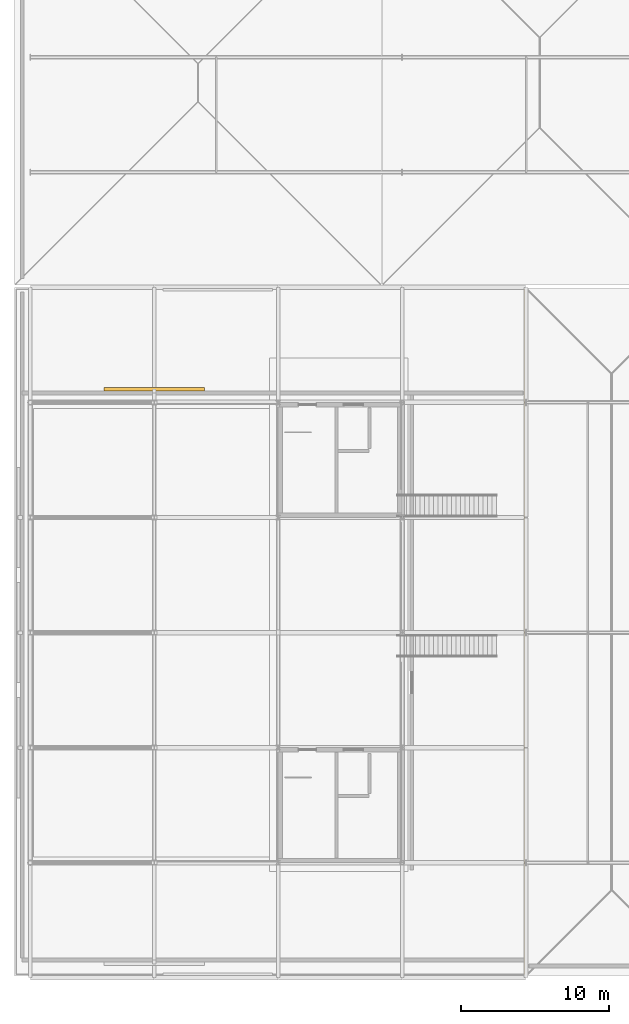
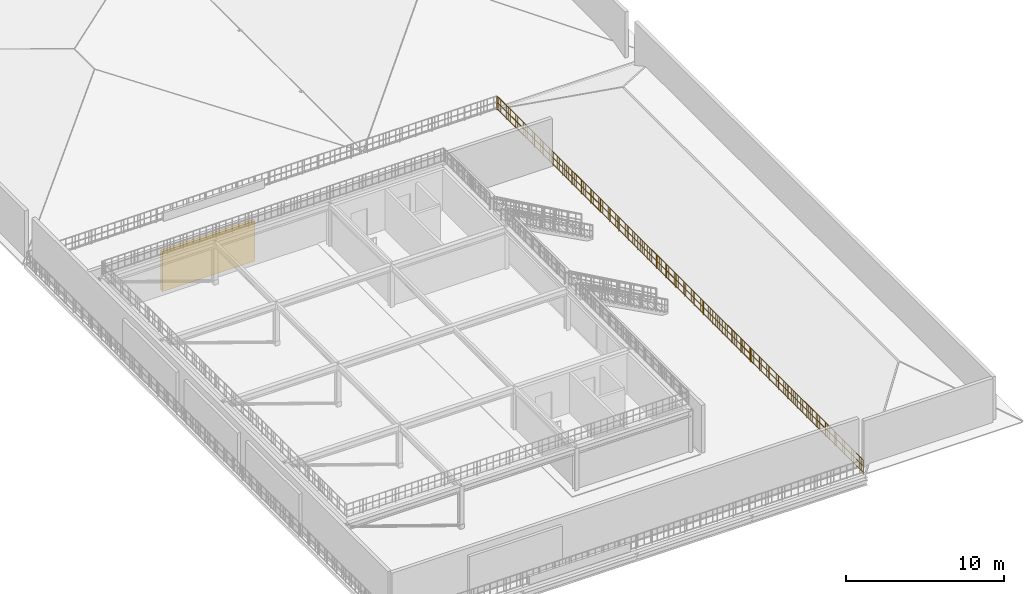
# One storey, part 14 of 16: 1 railing, 1 shading device.
"""IFC4 building model written with IfcOpenShell, lengths in metres."""

from ifc_helpers import new_model, si_unit, direction, frame, origin, origin_2d, place, context, subcontext, project, spatial, rectangle, circle, extrude, material, layer, layer_set, type_object, element, save


model = new_model("IFC4")

# Units and contexts
model_context = context("Model", 3, precision=1e-05, world=origin(), true_north=direction((0.0, 1.0)))
body_context = subcontext(model_context, "Body", "Model", "MODEL_VIEW")
ifc_project = project(units=[si_unit("LENGTHUNIT", "METRE"), si_unit("AREAUNIT", "SQUARE_METRE"), si_unit("VOLUMEUNIT", "CUBIC_METRE"), si_unit("PLANEANGLEUNIT", "RADIAN"), si_unit("MASSUNIT", "GRAM", prefix="KILO")], contexts=[model_context])

# Site, building, storey
site_placement = place(None, origin())
site = spatial("IfcSite", under=ifc_project, at=site_placement, CompositionType="ELEMENT")
building_placement = place(site_placement, origin())
building = spatial("IfcBuilding", under=site, at=building_placement, Name="Nabrawat Pavilion Hospital", CompositionType="ELEMENT")
storey_placement = place(building_placement, frame((0.0, 0.0, 35.10009765625)))
storey = spatial("IfcBuildingStorey", under=building, at=storey_placement, Name="Roof", CompositionType="ELEMENT", Elevation=35.10009765625)

# Railing
ifc_material_1 = material(Name="Stainless Steel 316", Category="steel")
ifc_layer_1 = layer(ifc_material_1, 0.070068359375, Name="Stainless Steel 316")
ifc_layer_set_1 = layer_set([ifc_layer_1], Name="Stainless Steel 316")
railing_type = type_object("IfcRailingType", Name="Exterior Clinical Terrace Safety Guardrail 1100", PredefinedType="GUARDRAIL", material=ifc_layer_set_1)
railing_placement = place(storey_placement, frame((184.679931640625, 39.239990234375, 0.0)))
element("IfcRailing", 1, at=railing_placement, inside=storey, type_object=railing_type, Name="Roof Headhouse Terrace Safety Guardrail East", PredefinedType="GUARDRAIL", context=body_context, shape_type="SweptSolid", body=[
    extrude(circle(Radius=0.02392578125, at=origin_2d()), frame((0.0, 0.0, 1.076171875), z_axis=(0.0, 1.0, 0.0), x_axis=(-1.0, 0.0, 0.0)), (0.0, 0.0, 1.0), 46.43994140625),
    extrude(circle(Radius=0.02392578125, at=origin_2d()), frame((0.0, 0.0, 0.10009765625), z_axis=(0.0, 1.0, 0.0), x_axis=(-1.0, 0.0, 0.0)), (0.0, 0.0, 1.0), 46.43994140625),
    extrude(circle(Radius=0.02392578125, at=origin_2d()), frame((0.0, 0.0, 0.60498046875), z_axis=(0.0, 1.0, 0.0), x_axis=(-1.0, 0.0, 0.0)), (0.0, 0.0, 1.0), 46.43994140625),
    extrude(circle(Radius=0.008056640625, at=origin_2d()), frame((0.0, 0.239501953125, 0.10009765625)), (0.0, 0.0, 1.0), 0.951904296875),
    extrude(circle(Radius=0.008056640625, at=origin_2d()), frame((0.0, 0.478759765625, 0.10009765625)), (0.0, 0.0, 1.0), 0.951904296875),
    extrude(circle(Radius=0.008056640625, at=origin_2d()), frame((0.0, 0.71826171875, 0.10009765625)), (0.0, 0.0, 1.0), 0.951904296875),
    extrude(circle(Radius=0.008056640625, at=origin_2d()), frame((0.0, 0.95751953125, 0.10009765625)), (0.0, 0.0, 1.0), 0.951904296875),
    extrude(circle(Radius=0.008056640625, at=origin_2d()), frame((0.0, 1.436279296875, 0.10009765625)), (0.0, 0.0, 1.0), 0.951904296875),
    extrude(circle(Radius=0.008056640625, at=origin_2d()), frame((0.0, 1.67578125, 0.10009765625)), (0.0, 0.0, 1.0), 0.951904296875),
    extrude(circle(Radius=0.008056640625, at=origin_2d()), frame((0.0, 1.9150390625, 0.10009765625)), (0.0, 0.0, 1.0), 0.951904296875),
    extrude(circle(Radius=0.008056640625, at=origin_2d()), frame((0.0, 2.154541015625, 0.10009765625)), (0.0, 0.0, 1.0), 0.951904296875),
    extrude(circle(Radius=0.008056640625, at=origin_2d()), frame((0.0, 2.63330078125, 0.10009765625)), (0.0, 0.0, 1.0), 0.951904296875),
    extrude(circle(Radius=0.008056640625, at=origin_2d()), frame((0.0, 2.87255859375, 0.10009765625)), (0.0, 0.0, 1.0), 0.951904296875),
    extrude(circle(Radius=0.008056640625, at=origin_2d()), frame((0.0, 3.112060546875, 0.10009765625)), (0.0, 0.0, 1.0), 0.951904296875),
    extrude(circle(Radius=0.008056640625, at=origin_2d()), frame((0.0, 3.351318359375, 0.10009765625)), (0.0, 0.0, 1.0), 0.951904296875),
    extrude(circle(Radius=0.008056640625, at=origin_2d()), frame((0.0, 3.830078125, 0.10009765625)), (0.0, 0.0, 1.0), 0.951904296875),
    extrude(circle(Radius=0.008056640625, at=origin_2d()), frame((0.0, 4.069580078125, 0.10009765625)), (0.0, 0.0, 1.0), 0.951904296875),
    extrude(circle(Radius=0.008056640625, at=origin_2d()), frame((0.0, 4.308837890625, 0.10009765625)), (0.0, 0.0, 1.0), 0.951904296875),
    extrude(circle(Radius=0.008056640625, at=origin_2d()), frame((0.0, 4.54833984375, 0.10009765625)), (0.0, 0.0, 1.0), 0.951904296875),
    extrude(circle(Radius=0.008056640625, at=origin_2d()), frame((0.0, 5.027099609375, 0.10009765625)), (0.0, 0.0, 1.0), 0.951904296875),
    extrude(circle(Radius=0.008056640625, at=origin_2d()), frame((0.0, 5.266357421875, 0.10009765625)), (0.0, 0.0, 1.0), 0.951904296875),
    extrude(circle(Radius=0.008056640625, at=origin_2d()), frame((0.0, 5.505859375, 0.10009765625)), (0.0, 0.0, 1.0), 0.951904296875),
    extrude(circle(Radius=0.008056640625, at=origin_2d()), frame((0.0, 5.7451171875, 0.10009765625)), (0.0, 0.0, 1.0), 0.951904296875),
    extrude(circle(Radius=0.008056640625, at=origin_2d()), frame((0.0, 6.223876953125, 0.10009765625)), (0.0, 0.0, 1.0), 0.951904296875),
    extrude(circle(Radius=0.008056640625, at=origin_2d()), frame((0.0, 6.46337890625, 0.10009765625)), (0.0, 0.0, 1.0), 0.951904296875),
    extrude(circle(Radius=0.008056640625, at=origin_2d()), frame((0.0, 6.70263671875, 0.10009765625)), (0.0, 0.0, 1.0), 0.951904296875),
    extrude(circle(Radius=0.008056640625, at=origin_2d()), frame((0.0, 6.942138671875, 0.10009765625)), (0.0, 0.0, 1.0), 0.951904296875),
    extrude(circle(Radius=0.008056640625, at=origin_2d()), frame((0.0, 7.4208984375, 0.10009765625)), (0.0, 0.0, 1.0), 0.951904296875),
    extrude(circle(Radius=0.008056640625, at=origin_2d()), frame((0.0, 7.66015625, 0.10009765625)), (0.0, 0.0, 1.0), 0.951904296875),
    extrude(circle(Radius=0.008056640625, at=origin_2d()), frame((0.0, 7.899658203125, 0.10009765625)), (0.0, 0.0, 1.0), 0.951904296875),
    extrude(circle(Radius=0.008056640625, at=origin_2d()), frame((0.0, 8.138916015625, 0.10009765625)), (0.0, 0.0, 1.0), 0.951904296875),
    extrude(circle(Radius=0.008056640625, at=origin_2d()), frame((0.0, 8.61767578125, 0.10009765625)), (0.0, 0.0, 1.0), 0.951904296875),
    extrude(circle(Radius=0.008056640625, at=origin_2d()), frame((0.0, 8.857177734375, 0.10009765625)), (0.0, 0.0, 1.0), 0.951904296875),
    extrude(circle(Radius=0.008056640625, at=origin_2d()), frame((0.0, 9.096435546875, 0.10009765625)), (0.0, 0.0, 1.0), 0.951904296875),
    extrude(circle(Radius=0.008056640625, at=origin_2d()), frame((0.0, 9.3359375, 0.10009765625)), (0.0, 0.0, 1.0), 0.951904296875),
    extrude(circle(Radius=0.008056640625, at=origin_2d()), frame((0.0, 9.814697265625, 0.10009765625)), (0.0, 0.0, 1.0), 0.951904296875),
    extrude(circle(Radius=0.008056640625, at=origin_2d()), frame((0.0, 10.053955078125, 0.10009765625)), (0.0, 0.0, 1.0), 0.951904296875),
    extrude(circle(Radius=0.008056640625, at=origin_2d()), frame((0.0, 10.29345703125, 0.10009765625)), (0.0, 0.0, 1.0), 0.951904296875),
    extrude(circle(Radius=0.008056640625, at=origin_2d()), frame((0.0, 10.53271484375, 0.10009765625)), (0.0, 0.0, 1.0), 0.951904296875),
    extrude(circle(Radius=0.008056640625, at=origin_2d()), frame((0.0, 10.772216796875, 0.10009765625)), (0.0, 0.0, 1.0), 0.951904296875),
    extrude(circle(Radius=0.008056640625, at=origin_2d()), frame((0.0, 11.011474609375, 0.10009765625)), (0.0, 0.0, 1.0), 0.951904296875),
    extrude(circle(Radius=0.008056640625, at=origin_2d()), frame((0.0, 11.2509765625, 0.10009765625)), (0.0, 0.0, 1.0), 0.951904296875),
    extrude(circle(Radius=0.008056640625, at=origin_2d()), frame((0.0, 11.490234375, 0.10009765625)), (0.0, 0.0, 1.0), 0.951904296875),
    extrude(circle(Radius=0.008056640625, at=origin_2d()), frame((0.0, 11.729736328125, 0.10009765625)), (0.0, 0.0, 1.0), 0.951904296875),
    extrude(circle(Radius=0.008056640625, at=origin_2d()), frame((0.0, 11.968994140625, 0.10009765625)), (0.0, 0.0, 1.0), 0.951904296875),
    extrude(circle(Radius=0.008056640625, at=origin_2d()), frame((0.0, 12.20849609375, 0.10009765625)), (0.0, 0.0, 1.0), 0.951904296875),
    extrude(circle(Radius=0.008056640625, at=origin_2d()), frame((0.0, 12.44775390625, 0.10009765625)), (0.0, 0.0, 1.0), 0.951904296875),
    extrude(circle(Radius=0.008056640625, at=origin_2d()), frame((0.0, 12.687255859375, 0.10009765625)), (0.0, 0.0, 1.0), 0.951904296875),
    extrude(circle(Radius=0.008056640625, at=origin_2d()), frame((0.0, 12.926513671875, 0.10009765625)), (0.0, 0.0, 1.0), 0.951904296875),
    extrude(circle(Radius=0.008056640625, at=origin_2d()), frame((0.0, 13.166015625, 0.10009765625)), (0.0, 0.0, 1.0), 0.951904296875),
    extrude(circle(Radius=0.008056640625, at=origin_2d()), frame((0.0, 13.4052734375, 0.10009765625)), (0.0, 0.0, 1.0), 0.951904296875),
    extrude(circle(Radius=0.008056640625, at=origin_2d()), frame((0.0, 13.644775390625, 0.10009765625)), (0.0, 0.0, 1.0), 0.951904296875),
    extrude(circle(Radius=0.008056640625, at=origin_2d()), frame((0.0, 13.884033203125, 0.10009765625)), (0.0, 0.0, 1.0), 0.951904296875),
    extrude(circle(Radius=0.008056640625, at=origin_2d()), frame((0.0, 14.12353515625, 0.10009765625)), (0.0, 0.0, 1.0), 0.951904296875),
    extrude(circle(Radius=0.008056640625, at=origin_2d()), frame((0.0, 14.36279296875, 0.10009765625)), (0.0, 0.0, 1.0), 0.951904296875),
    extrude(circle(Radius=0.008056640625, at=origin_2d()), frame((0.0, 14.602294921875, 0.10009765625)), (0.0, 0.0, 1.0), 0.951904296875),
    extrude(circle(Radius=0.008056640625, at=origin_2d()), frame((0.0, 14.841552734375, 0.10009765625)), (0.0, 0.0, 1.0), 0.951904296875),
    extrude(circle(Radius=0.008056640625, at=origin_2d()), frame((0.0, 15.0810546875, 0.10009765625)), (0.0, 0.0, 1.0), 0.951904296875),
    extrude(circle(Radius=0.008056640625, at=origin_2d()), frame((0.0, 15.3203125, 0.10009765625)), (0.0, 0.0, 1.0), 0.951904296875),
    extrude(circle(Radius=0.008056640625, at=origin_2d()), frame((0.0, 15.559814453125, 0.10009765625)), (0.0, 0.0, 1.0), 0.951904296875),
    extrude(circle(Radius=0.008056640625, at=origin_2d()), frame((0.0, 15.799072265625, 0.10009765625)), (0.0, 0.0, 1.0), 0.951904296875),
    extrude(circle(Radius=0.008056640625, at=origin_2d()), frame((0.0, 16.03857421875, 0.10009765625)), (0.0, 0.0, 1.0), 0.951904296875),
    extrude(circle(Radius=0.008056640625, at=origin_2d()), frame((0.0, 16.27783203125, 0.10009765625)), (0.0, 0.0, 1.0), 0.951904296875),
    extrude(circle(Radius=0.008056640625, at=origin_2d()), frame((0.0, 16.517333984375, 0.10009765625)), (0.0, 0.0, 1.0), 0.951904296875),
    extrude(circle(Radius=0.008056640625, at=origin_2d()), frame((0.0, 16.756591796875, 0.10009765625)), (0.0, 0.0, 1.0), 0.951904296875),
    extrude(circle(Radius=0.008056640625, at=origin_2d()), frame((0.0, 16.99609375, 0.10009765625)), (0.0, 0.0, 1.0), 0.951904296875),
    extrude(circle(Radius=0.008056640625, at=origin_2d()), frame((0.0, 17.2353515625, 0.10009765625)), (0.0, 0.0, 1.0), 0.951904296875),
    extrude(circle(Radius=0.008056640625, at=origin_2d()), frame((0.0, 17.474853515625, 0.10009765625)), (0.0, 0.0, 1.0), 0.951904296875),
    extrude(circle(Radius=0.008056640625, at=origin_2d()), frame((0.0, 17.714111328125, 0.10009765625)), (0.0, 0.0, 1.0), 0.951904296875),
    extrude(circle(Radius=0.008056640625, at=origin_2d()), frame((0.0, 17.95361328125, 0.10009765625)), (0.0, 0.0, 1.0), 0.951904296875),
    extrude(circle(Radius=0.008056640625, at=origin_2d()), frame((0.0, 18.19287109375, 0.10009765625)), (0.0, 0.0, 1.0), 0.951904296875),
    extrude(circle(Radius=0.008056640625, at=origin_2d()), frame((0.0, 18.432373046875, 0.10009765625)), (0.0, 0.0, 1.0), 0.951904296875),
    extrude(circle(Radius=0.008056640625, at=origin_2d()), frame((0.0, 18.671630859375, 0.10009765625)), (0.0, 0.0, 1.0), 0.951904296875),
    extrude(circle(Radius=0.008056640625, at=origin_2d()), frame((0.0, 18.9111328125, 0.10009765625)), (0.0, 0.0, 1.0), 0.951904296875),
    extrude(circle(Radius=0.008056640625, at=origin_2d()), frame((0.0, 19.150390625, 0.10009765625)), (0.0, 0.0, 1.0), 0.951904296875),
    extrude(circle(Radius=0.008056640625, at=origin_2d()), frame((0.0, 19.389892578125, 0.10009765625)), (0.0, 0.0, 1.0), 0.951904296875),
    extrude(circle(Radius=0.008056640625, at=origin_2d()), frame((0.0, 19.629150390625, 0.10009765625)), (0.0, 0.0, 1.0), 0.951904296875),
    extrude(circle(Radius=0.008056640625, at=origin_2d()), frame((0.0, 19.86865234375, 0.10009765625)), (0.0, 0.0, 1.0), 0.951904296875),
    extrude(circle(Radius=0.008056640625, at=origin_2d()), frame((0.0, 20.10791015625, 0.10009765625)), (0.0, 0.0, 1.0), 0.951904296875),
    extrude(circle(Radius=0.008056640625, at=origin_2d()), frame((0.0, 20.347412109375, 0.10009765625)), (0.0, 0.0, 1.0), 0.951904296875),
    extrude(circle(Radius=0.008056640625, at=origin_2d()), frame((0.0, 20.586669921875, 0.10009765625)), (0.0, 0.0, 1.0), 0.951904296875),
    extrude(circle(Radius=0.008056640625, at=origin_2d()), frame((0.0, 20.826171875, 0.10009765625)), (0.0, 0.0, 1.0), 0.951904296875),
    extrude(circle(Radius=0.008056640625, at=origin_2d()), frame((0.0, 21.0654296875, 0.10009765625)), (0.0, 0.0, 1.0), 0.951904296875),
    extrude(circle(Radius=0.008056640625, at=origin_2d()), frame((0.0, 21.304931640625, 0.10009765625)), (0.0, 0.0, 1.0), 0.951904296875),
    extrude(circle(Radius=0.008056640625, at=origin_2d()), frame((0.0, 21.544189453125, 0.10009765625)), (0.0, 0.0, 1.0), 0.951904296875),
    extrude(circle(Radius=0.008056640625, at=origin_2d()), frame((0.0, 21.78369140625, 0.10009765625)), (0.0, 0.0, 1.0), 0.951904296875),
    extrude(circle(Radius=0.008056640625, at=origin_2d()), frame((0.0, 22.02294921875, 0.10009765625)), (0.0, 0.0, 1.0), 0.951904296875),
    extrude(circle(Radius=0.008056640625, at=origin_2d()), frame((0.0, 22.262451171875, 0.10009765625)), (0.0, 0.0, 1.0), 0.951904296875),
    extrude(circle(Radius=0.008056640625, at=origin_2d()), frame((0.0, 22.501708984375, 0.10009765625)), (0.0, 0.0, 1.0), 0.951904296875),
    extrude(circle(Radius=0.008056640625, at=origin_2d()), frame((0.0, 22.7412109375, 0.10009765625)), (0.0, 0.0, 1.0), 0.951904296875),
    extrude(circle(Radius=0.008056640625, at=origin_2d()), frame((0.0, 22.98046875, 0.10009765625)), (0.0, 0.0, 1.0), 0.951904296875),
    extrude(circle(Radius=0.008056640625, at=origin_2d()), frame((0.0, 23.219970703125, 0.10009765625)), (0.0, 0.0, 1.0), 0.951904296875),
    extrude(circle(Radius=0.008056640625, at=origin_2d()), frame((0.0, 23.45947265625, 0.10009765625)), (0.0, 0.0, 1.0), 0.951904296875),
    extrude(circle(Radius=0.008056640625, at=origin_2d()), frame((0.0, 23.69873046875, 0.10009765625)), (0.0, 0.0, 1.0), 0.951904296875),
    extrude(circle(Radius=0.008056640625, at=origin_2d()), frame((0.0, 23.938232421875, 0.10009765625)), (0.0, 0.0, 1.0), 0.951904296875),
    extrude(circle(Radius=0.008056640625, at=origin_2d()), frame((0.0, 24.177490234375, 0.10009765625)), (0.0, 0.0, 1.0), 0.951904296875),
    extrude(circle(Radius=0.008056640625, at=origin_2d()), frame((0.0, 24.4169921875, 0.10009765625)), (0.0, 0.0, 1.0), 0.951904296875),
    extrude(circle(Radius=0.008056640625, at=origin_2d()), frame((0.0, 24.65625, 0.10009765625)), (0.0, 0.0, 1.0), 0.951904296875),
    extrude(circle(Radius=0.008056640625, at=origin_2d()), frame((0.0, 24.895751953125, 0.10009765625)), (0.0, 0.0, 1.0), 0.951904296875),
    extrude(circle(Radius=0.008056640625, at=origin_2d()), frame((0.0, 25.135009765625, 0.10009765625)), (0.0, 0.0, 1.0), 0.951904296875),
    extrude(circle(Radius=0.008056640625, at=origin_2d()), frame((0.0, 25.37451171875, 0.10009765625)), (0.0, 0.0, 1.0), 0.951904296875),
    extrude(circle(Radius=0.008056640625, at=origin_2d()), frame((0.0, 25.61376953125, 0.10009765625)), (0.0, 0.0, 1.0), 0.951904296875),
    extrude(circle(Radius=0.008056640625, at=origin_2d()), frame((0.0, 25.853271484375, 0.10009765625)), (0.0, 0.0, 1.0), 0.951904296875),
    extrude(circle(Radius=0.008056640625, at=origin_2d()), frame((0.0, 26.092529296875, 0.10009765625)), (0.0, 0.0, 1.0), 0.951904296875),
    extrude(circle(Radius=0.008056640625, at=origin_2d()), frame((0.0, 26.33203125, 0.10009765625)), (0.0, 0.0, 1.0), 0.951904296875),
    extrude(circle(Radius=0.008056640625, at=origin_2d()), frame((0.0, 26.5712890625, 0.10009765625)), (0.0, 0.0, 1.0), 0.951904296875),
    extrude(circle(Radius=0.008056640625, at=origin_2d()), frame((0.0, 26.810791015625, 0.10009765625)), (0.0, 0.0, 1.0), 0.951904296875),
    extrude(circle(Radius=0.008056640625, at=origin_2d()), frame((0.0, 27.050048828125, 0.10009765625)), (0.0, 0.0, 1.0), 0.951904296875),
    extrude(circle(Radius=0.008056640625, at=origin_2d()), frame((0.0, 27.28955078125, 0.10009765625)), (0.0, 0.0, 1.0), 0.951904296875),
    extrude(circle(Radius=0.008056640625, at=origin_2d()), frame((0.0, 27.52880859375, 0.10009765625)), (0.0, 0.0, 1.0), 0.951904296875),
    extrude(circle(Radius=0.008056640625, at=origin_2d()), frame((0.0, 27.768310546875, 0.10009765625)), (0.0, 0.0, 1.0), 0.951904296875),
    extrude(circle(Radius=0.008056640625, at=origin_2d()), frame((0.0, 28.007568359375, 0.10009765625)), (0.0, 0.0, 1.0), 0.951904296875),
    extrude(circle(Radius=0.008056640625, at=origin_2d()), frame((0.0, 28.2470703125, 0.10009765625)), (0.0, 0.0, 1.0), 0.951904296875),
    extrude(circle(Radius=0.008056640625, at=origin_2d()), frame((0.0, 28.486328125, 0.10009765625)), (0.0, 0.0, 1.0), 0.951904296875),
    extrude(circle(Radius=0.008056640625, at=origin_2d()), frame((0.0, 28.725830078125, 0.10009765625)), (0.0, 0.0, 1.0), 0.951904296875),
    extrude(circle(Radius=0.008056640625, at=origin_2d()), frame((0.0, 28.965087890625, 0.10009765625)), (0.0, 0.0, 1.0), 0.951904296875),
    extrude(circle(Radius=0.008056640625, at=origin_2d()), frame((0.0, 29.20458984375, 0.10009765625)), (0.0, 0.0, 1.0), 0.951904296875),
    extrude(circle(Radius=0.008056640625, at=origin_2d()), frame((0.0, 29.44384765625, 0.10009765625)), (0.0, 0.0, 1.0), 0.951904296875),
    extrude(circle(Radius=0.008056640625, at=origin_2d()), frame((0.0, 29.683349609375, 0.10009765625)), (0.0, 0.0, 1.0), 0.951904296875),
    extrude(circle(Radius=0.008056640625, at=origin_2d()), frame((0.0, 29.922607421875, 0.10009765625)), (0.0, 0.0, 1.0), 0.951904296875),
    extrude(circle(Radius=0.008056640625, at=origin_2d()), frame((0.0, 30.162109375, 0.10009765625)), (0.0, 0.0, 1.0), 0.951904296875),
    extrude(circle(Radius=0.008056640625, at=origin_2d()), frame((0.0, 30.4013671875, 0.10009765625)), (0.0, 0.0, 1.0), 0.951904296875),
    extrude(circle(Radius=0.008056640625, at=origin_2d()), frame((0.0, 30.640869140625, 0.10009765625)), (0.0, 0.0, 1.0), 0.951904296875),
    extrude(circle(Radius=0.008056640625, at=origin_2d()), frame((0.0, 30.880126953125, 0.10009765625)), (0.0, 0.0, 1.0), 0.951904296875),
    extrude(circle(Radius=0.008056640625, at=origin_2d()), frame((0.0, 31.11962890625, 0.10009765625)), (0.0, 0.0, 1.0), 0.951904296875),
    extrude(circle(Radius=0.008056640625, at=origin_2d()), frame((0.0, 31.35888671875, 0.10009765625)), (0.0, 0.0, 1.0), 0.951904296875),
    extrude(circle(Radius=0.008056640625, at=origin_2d()), frame((0.0, 31.598388671875, 0.10009765625)), (0.0, 0.0, 1.0), 0.951904296875),
    extrude(circle(Radius=0.008056640625, at=origin_2d()), frame((0.0, 31.837646484375, 0.10009765625)), (0.0, 0.0, 1.0), 0.951904296875),
    extrude(circle(Radius=0.008056640625, at=origin_2d()), frame((0.0, 32.0771484375, 0.10009765625)), (0.0, 0.0, 1.0), 0.951904296875),
    extrude(circle(Radius=0.008056640625, at=origin_2d()), frame((0.0, 32.31640625, 0.10009765625)), (0.0, 0.0, 1.0), 0.951904296875),
    extrude(circle(Radius=0.008056640625, at=origin_2d()), frame((0.0, 32.555908203125, 0.10009765625)), (0.0, 0.0, 1.0), 0.951904296875),
    extrude(circle(Radius=0.008056640625, at=origin_2d()), frame((0.0, 32.795166015625, 0.10009765625)), (0.0, 0.0, 1.0), 0.951904296875),
    extrude(circle(Radius=0.008056640625, at=origin_2d()), frame((0.0, 33.03466796875, 0.10009765625)), (0.0, 0.0, 1.0), 0.951904296875),
    extrude(circle(Radius=0.008056640625, at=origin_2d()), frame((0.0, 33.27392578125, 0.10009765625)), (0.0, 0.0, 1.0), 0.951904296875),
    extrude(circle(Radius=0.008056640625, at=origin_2d()), frame((0.0, 33.513427734375, 0.10009765625)), (0.0, 0.0, 1.0), 0.951904296875),
    extrude(circle(Radius=0.008056640625, at=origin_2d()), frame((0.0, 33.752685546875, 0.10009765625)), (0.0, 0.0, 1.0), 0.951904296875),
    extrude(circle(Radius=0.008056640625, at=origin_2d()), frame((0.0, 33.9921875, 0.10009765625)), (0.0, 0.0, 1.0), 0.951904296875),
    extrude(circle(Radius=0.008056640625, at=origin_2d()), frame((0.0, 34.2314453125, 0.10009765625)), (0.0, 0.0, 1.0), 0.951904296875),
    extrude(circle(Radius=0.008056640625, at=origin_2d()), frame((0.0, 34.470947265625, 0.10009765625)), (0.0, 0.0, 1.0), 0.951904296875),
    extrude(circle(Radius=0.008056640625, at=origin_2d()), frame((0.0, 34.710205078125, 0.10009765625)), (0.0, 0.0, 1.0), 0.951904296875),
    extrude(circle(Radius=0.008056640625, at=origin_2d()), frame((0.0, 34.94970703125, 0.10009765625)), (0.0, 0.0, 1.0), 0.951904296875),
    extrude(circle(Radius=0.008056640625, at=origin_2d()), frame((0.0, 35.18896484375, 0.10009765625)), (0.0, 0.0, 1.0), 0.951904296875),
    extrude(circle(Radius=0.008056640625, at=origin_2d()), frame((0.0, 35.428466796875, 0.10009765625)), (0.0, 0.0, 1.0), 0.951904296875),
    extrude(circle(Radius=0.008056640625, at=origin_2d()), frame((0.0, 35.667724609375, 0.10009765625)), (0.0, 0.0, 1.0), 0.951904296875),
    extrude(circle(Radius=0.008056640625, at=origin_2d()), frame((0.0, 35.9072265625, 0.10009765625)), (0.0, 0.0, 1.0), 0.951904296875),
    extrude(circle(Radius=0.008056640625, at=origin_2d()), frame((0.0, 36.146484375, 0.10009765625)), (0.0, 0.0, 1.0), 0.951904296875),
    extrude(circle(Radius=0.008056640625, at=origin_2d()), frame((0.0, 36.385986328125, 0.10009765625)), (0.0, 0.0, 1.0), 0.951904296875),
    extrude(circle(Radius=0.008056640625, at=origin_2d()), frame((0.0, 36.625244140625, 0.10009765625)), (0.0, 0.0, 1.0), 0.951904296875),
    extrude(circle(Radius=0.008056640625, at=origin_2d()), frame((0.0, 37.10400390625, 0.10009765625)), (0.0, 0.0, 1.0), 0.951904296875),
    extrude(circle(Radius=0.008056640625, at=origin_2d()), frame((0.0, 37.343505859375, 0.10009765625)), (0.0, 0.0, 1.0), 0.951904296875),
    extrude(circle(Radius=0.008056640625, at=origin_2d()), frame((0.0, 37.582763671875, 0.10009765625)), (0.0, 0.0, 1.0), 0.951904296875),
    extrude(circle(Radius=0.008056640625, at=origin_2d()), frame((0.0, 37.822265625, 0.10009765625)), (0.0, 0.0, 1.0), 0.951904296875),
    extrude(circle(Radius=0.008056640625, at=origin_2d()), frame((0.0, 38.301025390625, 0.10009765625)), (0.0, 0.0, 1.0), 0.951904296875),
    extrude(circle(Radius=0.008056640625, at=origin_2d()), frame((0.0, 38.540283203125, 0.10009765625)), (0.0, 0.0, 1.0), 0.951904296875),
    extrude(circle(Radius=0.008056640625, at=origin_2d()), frame((0.0, 38.77978515625, 0.10009765625)), (0.0, 0.0, 1.0), 0.951904296875),
    extrude(circle(Radius=0.008056640625, at=origin_2d()), frame((0.0, 39.01904296875, 0.10009765625)), (0.0, 0.0, 1.0), 0.951904296875),
    extrude(circle(Radius=0.008056640625, at=origin_2d()), frame((0.0, 39.497802734375, 0.10009765625)), (0.0, 0.0, 1.0), 0.951904296875),
    extrude(circle(Radius=0.008056640625, at=origin_2d()), frame((0.0, 39.7373046875, 0.10009765625)), (0.0, 0.0, 1.0), 0.951904296875),
    extrude(circle(Radius=0.008056640625, at=origin_2d()), frame((0.0, 39.9765625, 0.10009765625)), (0.0, 0.0, 1.0), 0.951904296875),
    extrude(circle(Radius=0.008056640625, at=origin_2d()), frame((0.0, 40.216064453125, 0.10009765625)), (0.0, 0.0, 1.0), 0.951904296875),
    extrude(circle(Radius=0.008056640625, at=origin_2d()), frame((0.0, 40.69482421875, 0.10009765625)), (0.0, 0.0, 1.0), 0.951904296875),
    extrude(circle(Radius=0.008056640625, at=origin_2d()), frame((0.0, 40.93408203125, 0.10009765625)), (0.0, 0.0, 1.0), 0.951904296875),
    extrude(circle(Radius=0.008056640625, at=origin_2d()), frame((0.0, 41.173583984375, 0.10009765625)), (0.0, 0.0, 1.0), 0.951904296875),
    extrude(circle(Radius=0.008056640625, at=origin_2d()), frame((0.0, 41.412841796875, 0.10009765625)), (0.0, 0.0, 1.0), 0.951904296875),
    extrude(circle(Radius=0.008056640625, at=origin_2d()), frame((0.0, 41.8916015625, 0.10009765625)), (0.0, 0.0, 1.0), 0.951904296875),
    extrude(circle(Radius=0.008056640625, at=origin_2d()), frame((0.0, 42.131103515625, 0.10009765625)), (0.0, 0.0, 1.0), 0.951904296875),
    extrude(circle(Radius=0.008056640625, at=origin_2d()), frame((0.0, 42.370361328125, 0.10009765625)), (0.0, 0.0, 1.0), 0.951904296875),
    extrude(circle(Radius=0.008056640625, at=origin_2d()), frame((0.0, 42.60986328125, 0.10009765625)), (0.0, 0.0, 1.0), 0.951904296875),
    extrude(circle(Radius=0.008056640625, at=origin_2d()), frame((0.0, 43.088623046875, 0.10009765625)), (0.0, 0.0, 1.0), 0.951904296875),
    extrude(circle(Radius=0.008056640625, at=origin_2d()), frame((0.0, 43.327880859375, 0.10009765625)), (0.0, 0.0, 1.0), 0.951904296875),
    extrude(circle(Radius=0.008056640625, at=origin_2d()), frame((0.0, 43.5673828125, 0.10009765625)), (0.0, 0.0, 1.0), 0.951904296875),
    extrude(circle(Radius=0.008056640625, at=origin_2d()), frame((0.0, 43.806640625, 0.10009765625)), (0.0, 0.0, 1.0), 0.951904296875),
    extrude(circle(Radius=0.008056640625, at=origin_2d()), frame((0.0, 44.285400390625, 0.10009765625)), (0.0, 0.0, 1.0), 0.951904296875),
    extrude(circle(Radius=0.008056640625, at=origin_2d()), frame((0.0, 44.52490234375, 0.10009765625)), (0.0, 0.0, 1.0), 0.951904296875),
    extrude(circle(Radius=0.008056640625, at=origin_2d()), frame((0.0, 44.76416015625, 0.10009765625)), (0.0, 0.0, 1.0), 0.951904296875),
    extrude(circle(Radius=0.008056640625, at=origin_2d()), frame((0.0, 45.003662109375, 0.10009765625)), (0.0, 0.0, 1.0), 0.951904296875),
    extrude(circle(Radius=0.008056640625, at=origin_2d()), frame((0.0, 45.482421875, 0.10009765625)), (0.0, 0.0, 1.0), 0.951904296875),
    extrude(circle(Radius=0.008056640625, at=origin_2d()), frame((0.0, 45.7216796875, 0.10009765625)), (0.0, 0.0, 1.0), 0.951904296875),
    extrude(circle(Radius=0.008056640625, at=origin_2d()), frame((0.0, 45.961181640625, 0.10009765625)), (0.0, 0.0, 1.0), 0.951904296875),
    extrude(circle(Radius=0.008056640625, at=origin_2d()), frame((0.0, 46.200439453125, 0.10009765625)), (0.0, 0.0, 1.0), 0.951904296875),
    extrude(circle(Radius=0.02099609375, at=origin_2d()), origin(), (0.0, 0.0, 1.0), 1.052001953125),
    extrude(circle(Radius=0.02099609375, at=origin_2d()), frame((0.0, 1.190673828125, 0.0)), (0.0, 0.0, 1.0), 1.052001953125),
    extrude(circle(Radius=0.02099609375, at=origin_2d()), frame((0.0, 2.381591796875, 0.0)), (0.0, 0.0, 1.0), 1.052001953125),
    extrude(circle(Radius=0.02099609375, at=origin_2d()), frame((0.0, 3.572265625, 0.0)), (0.0, 0.0, 1.0), 1.052001953125),
    extrude(circle(Radius=0.02099609375, at=origin_2d()), frame((0.0, 4.76318359375, 0.0)), (0.0, 0.0, 1.0), 1.052001953125),
    extrude(circle(Radius=0.02099609375, at=origin_2d()), frame((0.0, 5.953857421875, 0.0)), (0.0, 0.0, 1.0), 1.052001953125),
    extrude(circle(Radius=0.02099609375, at=origin_2d()), frame((0.0, 7.14453125, 0.0)), (0.0, 0.0, 1.0), 1.052001953125),
    extrude(circle(Radius=0.02099609375, at=origin_2d()), frame((0.0, 8.33544921875, 0.0)), (0.0, 0.0, 1.0), 1.052001953125),
    extrude(circle(Radius=0.02099609375, at=origin_2d()), frame((0.0, 9.526123046875, 0.0)), (0.0, 0.0, 1.0), 1.052001953125),
    extrude(circle(Radius=0.02099609375, at=origin_2d()), frame((0.0, 10.716796875, 0.0)), (0.0, 0.0, 1.0), 1.052001953125),
    extrude(circle(Radius=0.02099609375, at=origin_2d()), frame((0.0, 11.90771484375, 0.0)), (0.0, 0.0, 1.0), 1.052001953125),
    extrude(circle(Radius=0.02099609375, at=origin_2d()), frame((0.0, 13.098388671875, 0.0)), (0.0, 0.0, 1.0), 1.052001953125),
    extrude(circle(Radius=0.02099609375, at=origin_2d()), frame((0.0, 14.289306640625, 0.0)), (0.0, 0.0, 1.0), 1.052001953125),
    extrude(circle(Radius=0.02099609375, at=origin_2d()), frame((0.0, 15.47998046875, 0.0)), (0.0, 0.0, 1.0), 1.052001953125),
    extrude(circle(Radius=0.02099609375, at=origin_2d()), frame((0.0, 16.670654296875, 0.0)), (0.0, 0.0, 1.0), 1.052001953125),
    extrude(circle(Radius=0.02099609375, at=origin_2d()), frame((0.0, 17.861572265625, 0.0)), (0.0, 0.0, 1.0), 1.052001953125),
    extrude(circle(Radius=0.02099609375, at=origin_2d()), frame((0.0, 19.05224609375, 0.0)), (0.0, 0.0, 1.0), 1.052001953125),
    extrude(circle(Radius=0.02099609375, at=origin_2d()), frame((0.0, 20.2431640625, 0.0)), (0.0, 0.0, 1.0), 1.052001953125),
    extrude(circle(Radius=0.02099609375, at=origin_2d()), frame((0.0, 21.433837890625, 0.0)), (0.0, 0.0, 1.0), 1.052001953125),
    extrude(circle(Radius=0.02099609375, at=origin_2d()), frame((0.0, 22.62451171875, 0.0)), (0.0, 0.0, 1.0), 1.052001953125),
    extrude(circle(Radius=0.02099609375, at=origin_2d()), frame((0.0, 23.8154296875, 0.0)), (0.0, 0.0, 1.0), 1.052001953125),
    extrude(circle(Radius=0.02099609375, at=origin_2d()), frame((0.0, 25.006103515625, 0.0)), (0.0, 0.0, 1.0), 1.052001953125),
    extrude(circle(Radius=0.02099609375, at=origin_2d()), frame((0.0, 26.19677734375, 0.0)), (0.0, 0.0, 1.0), 1.052001953125),
    extrude(circle(Radius=0.02099609375, at=origin_2d()), frame((0.0, 27.3876953125, 0.0)), (0.0, 0.0, 1.0), 1.052001953125),
    extrude(circle(Radius=0.02099609375, at=origin_2d()), frame((0.0, 28.578369140625, 0.0)), (0.0, 0.0, 1.0), 1.052001953125),
    extrude(circle(Radius=0.02099609375, at=origin_2d()), frame((0.0, 29.769287109375, 0.0)), (0.0, 0.0, 1.0), 1.052001953125),
    extrude(circle(Radius=0.02099609375, at=origin_2d()), frame((0.0, 30.9599609375, 0.0)), (0.0, 0.0, 1.0), 1.052001953125),
    extrude(circle(Radius=0.02099609375, at=origin_2d()), frame((0.0, 32.150634765625, 0.0)), (0.0, 0.0, 1.0), 1.052001953125),
    extrude(circle(Radius=0.02099609375, at=origin_2d()), frame((0.0, 33.341552734375, 0.0)), (0.0, 0.0, 1.0), 1.052001953125),
    extrude(circle(Radius=0.02099609375, at=origin_2d()), frame((0.0, 34.5322265625, 0.0)), (0.0, 0.0, 1.0), 1.052001953125),
    extrude(circle(Radius=0.02099609375, at=origin_2d()), frame((0.0, 35.72314453125, 0.0)), (0.0, 0.0, 1.0), 1.052001953125),
    extrude(circle(Radius=0.02099609375, at=origin_2d()), frame((0.0, 36.913818359375, 0.0)), (0.0, 0.0, 1.0), 1.052001953125),
    extrude(circle(Radius=0.02099609375, at=origin_2d()), frame((0.0, 38.1044921875, 0.0)), (0.0, 0.0, 1.0), 1.052001953125),
    extrude(circle(Radius=0.02099609375, at=origin_2d()), frame((0.0, 39.29541015625, 0.0)), (0.0, 0.0, 1.0), 1.052001953125),
    extrude(circle(Radius=0.02099609375, at=origin_2d()), frame((0.0, 40.486083984375, 0.0)), (0.0, 0.0, 1.0), 1.052001953125),
    extrude(circle(Radius=0.02099609375, at=origin_2d()), frame((0.0, 41.6767578125, 0.0)), (0.0, 0.0, 1.0), 1.052001953125),
    extrude(circle(Radius=0.02099609375, at=origin_2d()), frame((0.0, 42.86767578125, 0.0)), (0.0, 0.0, 1.0), 1.052001953125),
    extrude(circle(Radius=0.02099609375, at=origin_2d()), frame((0.0, 44.058349609375, 0.0)), (0.0, 0.0, 1.0), 1.052001953125),
    extrude(circle(Radius=0.02099609375, at=origin_2d()), frame((0.0, 45.249267578125, 0.0)), (0.0, 0.0, 1.0), 1.052001953125),
    extrude(circle(Radius=0.02099609375, at=origin_2d()), frame((0.0, 46.43994140625, 0.0)), (0.0, 0.0, 1.0), 1.052001953125),
])

# Shading device
ifc_material_2 = material(Name="Anodised Aluminium", Category="aluminium")
ifc_layer_2 = layer(ifc_material_2, 3.10009765625, Name="Anodised Aluminium")
ifc_layer_set_2 = layer_set([ifc_layer_2], Name="Anodised Aluminium")
shading_device_type = type_object("IfcShadingDeviceType", Name="Helipad Crown Acoustic Mechanical Louver Screen", PredefinedType="JALOUSIE", material=ifc_layer_set_2)
shading_device_placement = place(storey_placement, frame((159.60009765625, 78.89990234375, 0.06982421875), z_axis=(0.0, 0.0, 1.0), x_axis=(1.0, 0.0, 0.0)))
element("IfcShadingDevice", 2, at=shading_device_placement, inside=storey, type_object=shading_device_type, Name="Roof Helipad Undercroft Acoustic Louver Screen 05", PredefinedType="JALOUSIE", context=body_context, shape_type="SweptSolid", body=[
    extrude(rectangle(XDim=6.800048828125, YDim=0.219970703125, at=origin_2d()), origin(), (0.0, 0.0, 1.0), 3.10009765625),
])

save(model, "model.ifc")
